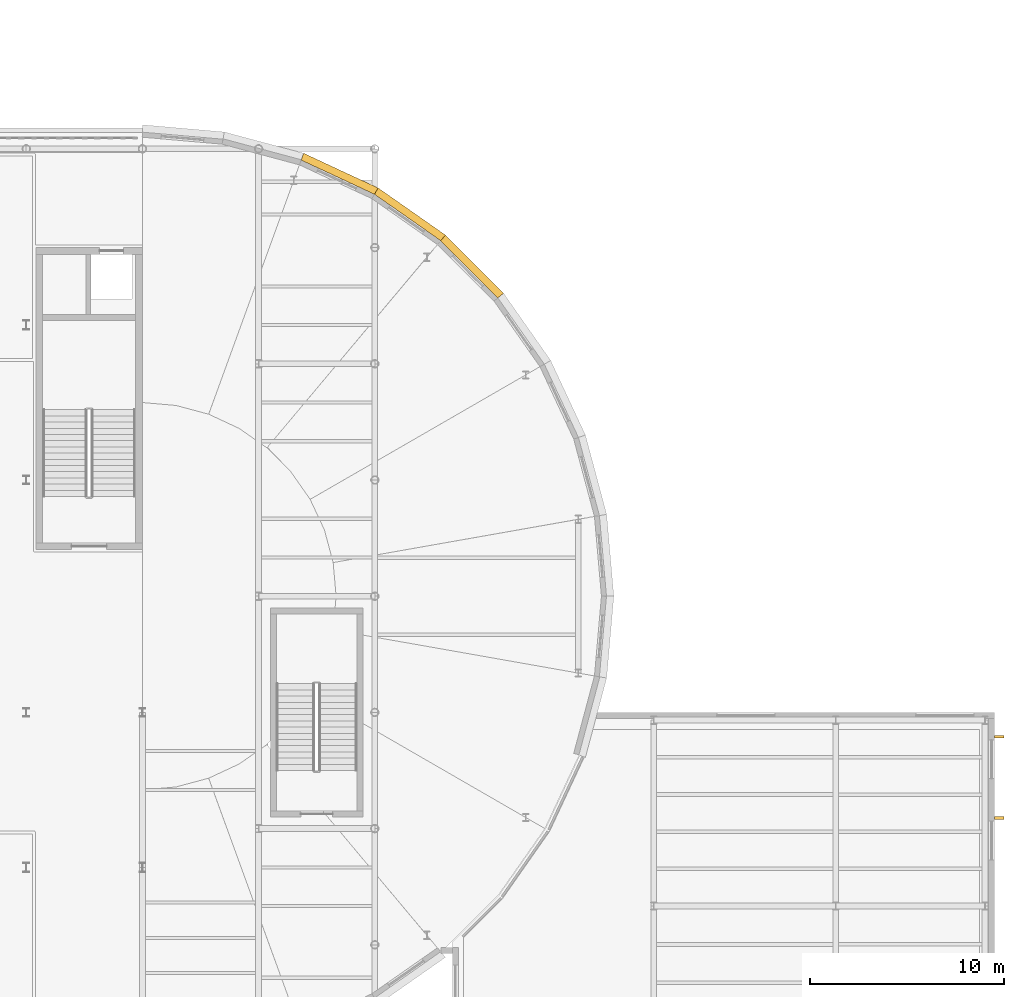
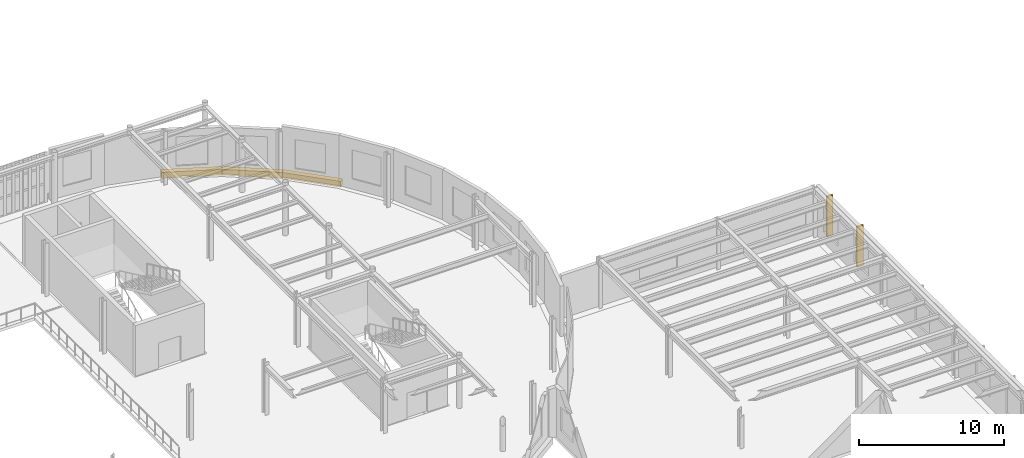
# One storey, part 91 of 91: 3 coverings, 2 shading devices.
"""IFC4 building model written with IfcOpenShell, lengths in metres."""

from ifc_helpers import new_model, si_unit, direction, frame, origin, origin_2d, place, context, subcontext, project, spatial, polyline, rectangle, outline, extrude, material, layer, layer_set, type_object, element, save


model = new_model("IFC4")

# Units and contexts
model_context = context("Model", 3, precision=1e-05, world=origin(), true_north=direction((0.0, 1.0)))
body_context = subcontext(model_context, "Body", "Model", "MODEL_VIEW")
ifc_project = project(units=[si_unit("LENGTHUNIT", "METRE"), si_unit("AREAUNIT", "SQUARE_METRE"), si_unit("VOLUMEUNIT", "CUBIC_METRE"), si_unit("PLANEANGLEUNIT", "RADIAN"), si_unit("MASSUNIT", "GRAM", prefix="KILO")], contexts=[model_context])

# Site, building, storey
site_placement = place(None, origin())
site = spatial("IfcSite", under=ifc_project, at=site_placement, CompositionType="ELEMENT")
building_placement = place(site_placement, origin())
building = spatial("IfcBuilding", under=site, at=building_placement, Name="Kolvaren Corner Interchange", CompositionType="ELEMENT")
storey_placement = place(building_placement, frame((0.0, 0.0, 6.0)))
storey = spatial("IfcBuildingStorey", under=building, at=storey_placement, Name="L02", CompositionType="ELEMENT", Elevation=6.0)

# Coverings
ifc_material_1 = material(Name="Glazed White Terracotta Fascia Cladding", Category="masonry")
ifc_layer = layer(ifc_material_1, 0.0400390625)
ifc_layer_set = layer_set([ifc_layer], Name="Glazed White Terracotta Fascia Cladding")
covering_type = type_object("IfcCoveringType", Name="COV-WHT-CLAD40", PredefinedType="CLADDING", material=ifc_layer_set)
covering_1_placement = place(storey_placement, frame((0.0, 0.0, -0.320068359375)))
element("IfcCovering", 1, at=covering_1_placement, inside=storey, type_object=covering_type, Name="Racetrack East L02 Sweeping White Edge Band 14", PredefinedType="CLADDING", context=body_context, shape_type="SweptSolid", body=[
    extrude(outline(polyline([(138.3544921875, 63.401123046875), (138.6455078125, 63.6455078125), (135.6455078125, 66.6455078125), (135.401123046875, 66.3544921875), (138.3544921875, 63.401123046875)])), origin(), (0.0, 0.0, 1.0), 0.5),
])
covering_2_placement = place(storey_placement, frame((0.0, 0.0, -0.320068359375)))
element("IfcCovering", 2, at=covering_2_placement, inside=storey, type_object=covering_type, Name="Racetrack East L02 Sweeping White Edge Band 15", PredefinedType="CLADDING", context=body_context, shape_type="SweptSolid", body=[
    extrude(outline(polyline([(135.401123046875, 66.3544921875), (135.6455078125, 66.6455078125), (132.169921875, 69.0791015625), (131.97998046875, 68.75), (135.401123046875, 66.3544921875)])), origin(), (0.0, 0.0, 1.0), 0.5),
])
covering_3_placement = place(storey_placement, frame((0.0, 0.0, -0.320068359375)))
element("IfcCovering", 3, at=covering_3_placement, inside=storey, type_object=covering_type, Name="Racetrack East L02 Sweeping White Edge Band 16", PredefinedType="CLADDING", context=body_context, shape_type="SweptSolid", body=[
    extrude(outline(polyline([(131.97998046875, 68.75), (132.169921875, 69.0791015625), (128.32470703125, 70.8720703125), (128.19482421875, 70.514892578125), (131.97998046875, 68.75)])), origin(), (0.0, 0.0, 1.0), 0.5),
])

# Shading devices
ifc_material_2 = material(Name="Vertical Terracotta Solar Fin", Category="masonry")
shading_device_type = type_object("IfcShadingDeviceType", Name="SHD-FIN-V500", PredefinedType="USERDEFINED", material=ifc_material_2)
for number, where, z_axis, x_axis, name in (
    (4, (164.235107421875, 36.548583984375, 0.300048828125), (0.0, 0.0, 1.0), (0.0, 1.0, 0.0), "L02 Ceramic Solar Shading 0315"),
    (5, (164.235107421875, 40.742919921875, 0.300048828125), (0.0, 0.0, 1.0), (0.0, 1.0, 0.0), "L02 Ceramic Solar Shading 0316"),
):
    element("IfcShadingDevice", number, at=place(storey_placement, frame(where, z_axis=z_axis, x_axis=x_axis)), inside=storey, type_object=shading_device_type, Name=name, ObjectType="SUNSHADE", PredefinedType="USERDEFINED", context=body_context, shape_type="SweptSolid", body=[
        extrude(rectangle(XDim=0.139892578125, YDim=0.5, at=origin_2d()), origin(), (0.0, 0.0, 1.0), 3.39990234375),
    ])

save(model, "model.ifc")
